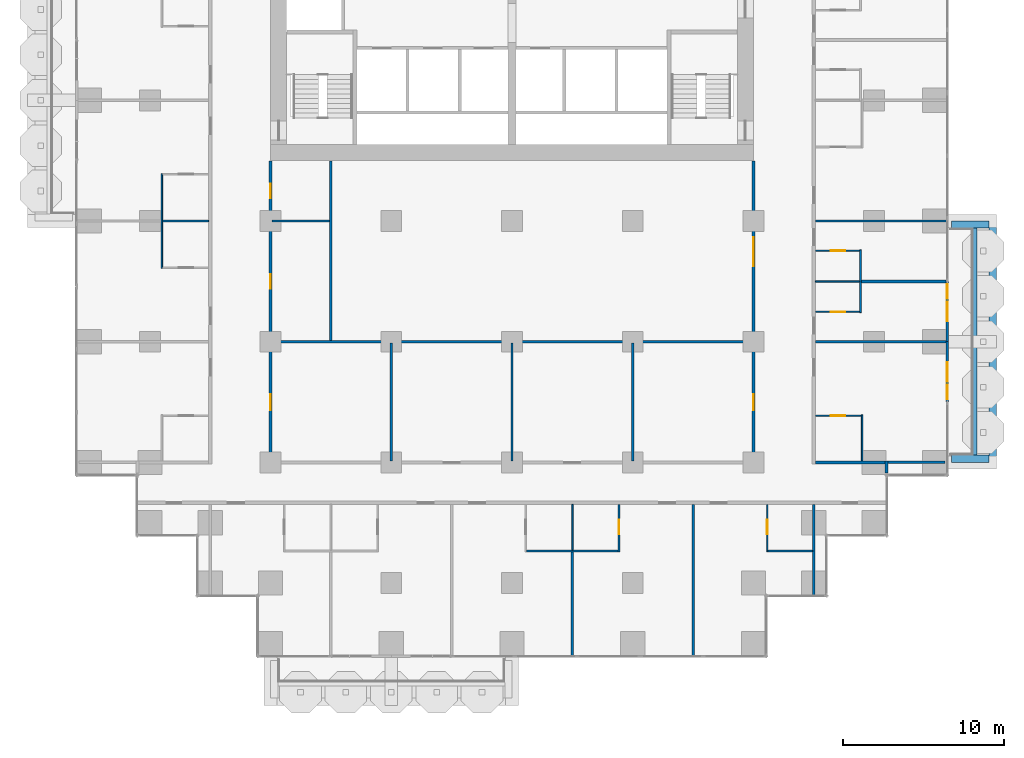
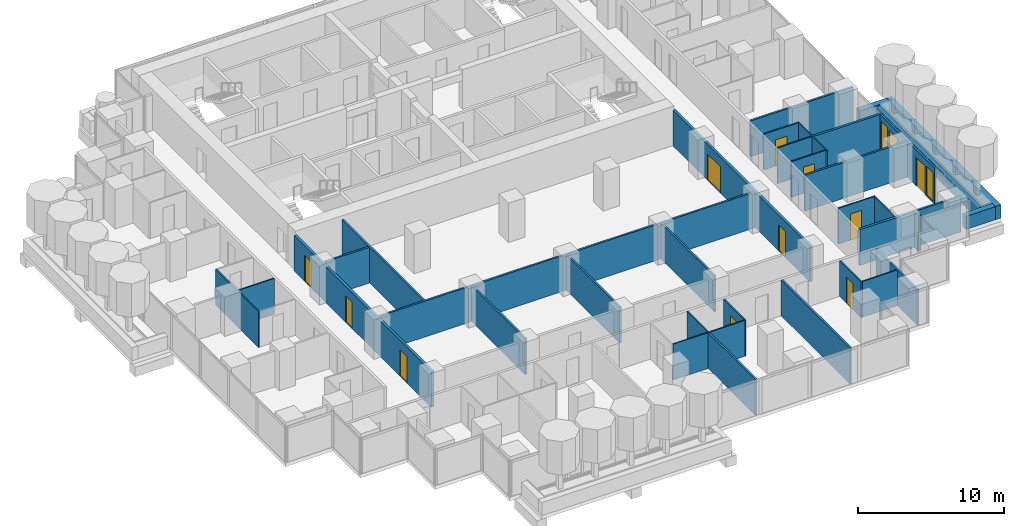
# One storey, part 11 of 18: 36 walls, 12 doors, 2 windows, 14 openings.
"""IFC4 building model written with IfcOpenShell, lengths in metres."""

import ifcopenshell
import ifcopenshell.guid

model = None  # the IFC model being written
_history = None  # IfcOwnerHistory: only IFC2X3 demands one
_inside = {}  # id of a spatial element -> (the spatial element, [elements in it])
_under = {}  # id of a project, library or spatial element -> (it, [spatial elements below it])
_declared = {}  # id of a project -> (the project, [libraries it declares])
_typed = {}  # id of a type object -> (the type object, [elements of that type])
_made_of = {}  # id of a material, layer set ... -> (it, [elements and type objects made of it])


def new_model(schema):
    """Start an empty IFC model of exactly this schema.

    Asked for "IFC4X3", IfcOpenShell would pick the latest addendum, in which some entities
    have other attributes; the version numbers below select the first issue.
    IFC2X3 requires an IfcOwnerHistory on every rooted entity: one is made here for all.
    """
    global model, _history
    if schema == "IFC4X3":
        model = ifcopenshell.file(schema_version=(4, 3, 0, 0))
    else:
        model = ifcopenshell.file(schema=schema)
    _inside.clear()
    _under.clear()
    _declared.clear()
    _typed.clear()
    _made_of.clear()
    _history = None
    if model.schema == "IFC2X3":
        org = make("IfcOrganization", Name="unknown")
        user = make(
            "IfcPersonAndOrganization",
            ThePerson=make("IfcPerson", FamilyName="unknown"),
            TheOrganization=org,
        )
        app = make(
            "IfcApplication",
            ApplicationDeveloper=org,
            Version="unknown",
            ApplicationFullName="unknown",
            ApplicationIdentifier="unknown",
        )
        _history = make(
            "IfcOwnerHistory",
            OwningUser=user,
            OwningApplication=app,
            ChangeAction="ADDED",
            CreationDate=0,
        )
    return model


def make(cls, **values):
    """One entity of the class cls with the attributes given. An attribute that is None is left unset."""
    return model.create_entity(
        cls, **{name: value for name, value in values.items() if value is not None}
    )


def rooted(cls, **values):
    """An entity with a GlobalId (a new one), such as an element, a storey or a relation."""
    return make(cls, GlobalId=ifcopenshell.guid.new(), OwnerHistory=_history, **values)


def si_unit(unit_type, name, prefix=None):
    """IfcSIUnit, for example si_unit("LENGTHUNIT", "METRE", prefix="MILLI")."""
    return make("IfcSIUnit", UnitType=unit_type, Prefix=prefix, Name=name)


def assignment(units):
    """IfcUnitAssignment: the units of a project."""
    return None if units is None else make("IfcUnitAssignment", Units=units)


def point(xyz):
    """IfcCartesianPoint."""
    return None if xyz is None else make("IfcCartesianPoint", Coordinates=xyz)


def direction(xyz):
    """IfcDirection."""
    return None if xyz is None else make("IfcDirection", DirectionRatios=xyz)


def frame(location, z_axis=None, x_axis=None):
    """IfcAxis2Placement3D, a coordinate frame: its origin and axes. An axis left out is left unset."""
    return make(
        "IfcAxis2Placement3D",
        Location=point(location),
        Axis=direction(z_axis),
        RefDirection=direction(x_axis),
    )


def frame_2d(location, x_axis=None):
    """IfcAxis2Placement2D, a coordinate frame in the plane: its origin and x axis."""
    return make(
        "IfcAxis2Placement2D", Location=point(location), RefDirection=direction(x_axis)
    )


def origin():
    """The frame at (0, 0, 0) with its axes left unset."""
    return frame((0.0, 0.0, 0.0))


def place(relative_to, where):
    """IfcLocalPlacement: puts the frame where relative to a parent placement (None: the world)."""
    return make(
        "IfcLocalPlacement", PlacementRelTo=relative_to, RelativePlacement=where
    )


def context(
    kind, dimensions, precision=None, world=None, true_north=None, identifier=None
):
    """IfcGeometricRepresentationContext, for example the 3D "Model" context."""
    return make(
        "IfcGeometricRepresentationContext",
        ContextIdentifier=identifier,
        ContextType=kind,
        CoordinateSpaceDimension=dimensions,
        Precision=precision,
        WorldCoordinateSystem=world,
        TrueNorth=true_north,
    )


def subcontext(parent, identifier, kind, view, scale=None):
    """IfcGeometricRepresentationSubContext, for example "Body" below "Model"."""
    return make(
        "IfcGeometricRepresentationSubContext",
        ContextIdentifier=identifier,
        ContextType=kind,
        ParentContext=parent,
        TargetScale=scale,
        TargetView=view,
    )


def project(units=None, contexts=None):
    """IfcProject with its units and contexts."""
    return rooted(
        "IfcProject",
        Name="project",
        RepresentationContexts=contexts,
        UnitsInContext=assignment(units),
    )


def spatial(cls, under=None, at=None, **own):
    """A site, building, storey or space (cls), placed at a placement, below another one or the project."""
    s = rooted(cls, ObjectPlacement=at, **own)
    if under is not None:
        _under.setdefault(under.id(), (under, []))[1].append(s)
    return s


def profile(cls, at=None, kind="AREA", **sizes):
    """A parametric profile (cls). Its sizes go by their IFC names, for example OverallWidth=200.0."""
    return make(cls, ProfileType=kind, Position=at, **sizes)


def rectangle(**sizes):
    """IfcRectangleProfileDef."""
    return profile("IfcRectangleProfileDef", **sizes)


def extrude(swept, where, along, depth):
    """IfcExtrudedAreaSolid: the profile swept, set in the frame where, extruded along a direction by depth."""
    return make(
        "IfcExtrudedAreaSolid",
        SweptArea=swept,
        Position=where,
        ExtrudedDirection=direction(along),
        Depth=depth,
    )


def shape(context_of_items, identifier, shape_type, items):
    """IfcShapeRepresentation: the items that make up one representation, for example the "Body"."""
    return make(
        "IfcShapeRepresentation",
        ContextOfItems=context_of_items,
        RepresentationIdentifier=identifier,
        RepresentationType=shape_type,
        Items=items,
    )


def material(Name=None, Category=None):
    """IfcMaterial."""
    return make("IfcMaterial", Name=Name, Category=Category)


def layer(
    of_material, thickness, ventilated=None, Name=None, Category=None, Priority=None
):
    """IfcMaterialLayer: one layer of a wall or slab, of a material (None: an air gap)."""
    return make(
        "IfcMaterialLayer",
        Material=of_material,
        LayerThickness=thickness,
        IsVentilated=ventilated,
        Name=Name,
        Category=Category,
        Priority=Priority,
    )


def layer_set(layers, Name=None):
    """IfcMaterialLayerSet."""
    return make("IfcMaterialLayerSet", MaterialLayers=layers, LayerSetName=Name)


def made_of(thing, what):
    """Note that an element or type object is made of a material, layer set ...; save() writes the relation."""
    if what is not None:
        _made_of.setdefault(what.id(), (what, []))[1].append(thing)
    return thing


def type_object(cls, material=None, **own):
    """A type object (cls), such as IfcWallType, which elements share."""
    return made_of(rooted(cls, **own), material)


def element(
    cls,
    number,
    at=None,
    inside=None,
    cuts=None,
    type_object=None,
    material=None,
    context=None,
    identifier="Body",
    shape_type=None,
    held_by="IfcProductDefinitionShape",
    body=None,
    shapes=None,
    **own,
):
    """One element of the class cls, such as IfcWall. Its Tag is "e" and its number.

    at: its placement. inside: the storey or other place that contains it. cuts: it is an
    opening in that element (IfcRelVoidsElement). A single representation is given by context,
    identifier, shape_type and body (its items); several are given by shapes. held_by: the class
    of the entity that holds the representations. save() writes the other relations.
    """
    e = rooted(cls, Tag="e%d" % number, ObjectPlacement=at, **own)
    if body is not None:
        shapes = [shape(context, identifier, shape_type, body)]
    if shapes is not None:
        e.Representation = make(held_by, Representations=shapes)
    if inside is not None:
        _inside.setdefault(inside.id(), (inside, []))[1].append(e)
    if cuts is not None:
        rooted(
            "IfcRelVoidsElement", RelatingBuildingElement=cuts, RelatedOpeningElement=e
        )
    if type_object is not None:
        _typed.setdefault(type_object.id(), (type_object, []))[1].append(e)
    return made_of(e, material)


def fill(opening, filler):
    """IfcRelFillsElement: the door or window that sits in an opening."""
    return rooted(
        "IfcRelFillsElement",
        RelatingOpeningElement=opening,
        RelatedBuildingElement=filler,
    )


def aggregate(whole, parts):
    """IfcRelAggregates: a whole, such as a stair, and the parts it consists of."""
    return rooted("IfcRelAggregates", RelatingObject=whole, RelatedObjects=parts)


def save(model, path):
    """Write the relations noted so far, then the file.

    IfcRelAggregates (storeys below a building ...), IfcRelContainedInSpatialStructure (elements
    in a storey), IfcRelDefinesByType, IfcRelAssociatesMaterial and IfcRelDeclares: one each for
    every whole, place, type object, material and project.
    """
    for whole, parts in _under.values():
        aggregate(whole, parts)
    for where, things in _inside.values():
        rooted(
            "IfcRelContainedInSpatialStructure",
            RelatedElements=things,
            RelatingStructure=where,
        )
    for kind, things in _typed.values():
        rooted("IfcRelDefinesByType", RelatedObjects=things, RelatingType=kind)
    for what, things in _made_of.values():
        rooted("IfcRelAssociatesMaterial", RelatedObjects=things, RelatingMaterial=what)
    for by, libraries in _declared.values():
        rooted("IfcRelDeclares", RelatingContext=by, RelatedDefinitions=libraries)
    model.write(path)


model = new_model("IFC4")

# Units and contexts
model_context = context("Model", 3, precision=1e-05, world=origin(), true_north=direction((0.0, 1.0)))
body_context = subcontext(model_context, "Body", "Model", "MODEL_VIEW")
ifc_project = project(units=[si_unit("LENGTHUNIT", "METRE"), si_unit("AREAUNIT", "SQUARE_METRE"), si_unit("VOLUMEUNIT", "CUBIC_METRE"), si_unit("PLANEANGLEUNIT", "RADIAN"), si_unit("MASSUNIT", "GRAM", prefix="KILO")], contexts=[model_context])

# Site, building, storey
site_placement = place(None, origin())
site = spatial("IfcSite", under=ifc_project, at=site_placement, CompositionType="ELEMENT")
building_placement = place(site_placement, origin())
building = spatial("IfcBuilding", under=site, at=building_placement, Name="Pilkhan Gate Tower", CompositionType="ELEMENT")
storey_placement = place(building_placement, frame((0.0, 0.0, 56.0)))
storey = spatial("IfcBuildingStorey", under=building, at=storey_placement, Name="L11", CompositionType="ELEMENT", Elevation=56.0)

# Walls
ifc_material_1 = material(Name="Dense blockwork", Category="masonry")
ifc_layer_1 = layer(ifc_material_1, 0.175048828125)
ifc_layer_set_1 = layer_set([ifc_layer_1], Name="Acoustic party wall PW175")
wall_type_1 = type_object("IfcWallType", Name="Acoustic party wall PW175", PredefinedType="PARTITIONING", material=ifc_layer_set_1)
wall_1_placement = place(storey_placement, frame((96.699951171875, 63.75, 0.0), z_axis=(0.0, 0.0, 1.0), x_axis=(1.0, 0.0, 0.0)))
element("IfcWall", 1, at=wall_1_placement, inside=storey, type_object=wall_type_1, Name="Partition L11", PredefinedType="PARTITIONING", context=body_context, shape_type="SweptSolid", body=[
    extrude(rectangle(XDim=5.260009765625, YDim=0.175048828125, at=frame_2d((2.6298828125, 0.0))), origin(), (0.0, 0.0, 1.0), 3.0),
])
ifc_material_2 = material(Name="Concrete C40/50", Category="concrete")
ifc_layer_2 = layer(ifc_material_2, 0.25)
ifc_layer_set_2 = layer_set([ifc_layer_2], Name="Balcony planter BP250")
wall_type_2 = type_object("IfcWallType", Name="Balcony planter BP250", PredefinedType="USERDEFINED", material=ifc_layer_set_2)
wall_2_placement = place(storey_placement, frame((103.77490234375, 52.949951171875, 0.0), z_axis=(0.0, 0.0, 1.0), x_axis=(0.0, 1.0, 0.0)))
element("IfcWall", 2, at=wall_2_placement, inside=storey, type_object=wall_type_2, Name="Balcony planter L11 E", ObjectType="BALCONY PLANTER", PredefinedType="USERDEFINED", context=body_context, shape_type="SweptSolid", body=[
    extrude(rectangle(XDim=14.10009765625, YDim=0.25, at=frame_2d((7.050048828125, 0.0))), origin(), (0.0, 0.0, 1.0), 1.0),
])
ifc_material_3 = material(Name="Board-marked Concrete C40/50", Category="concrete")
ifc_layer_3 = layer(ifc_material_3, 0.449951171875)
ifc_layer_set_3 = layer_set([ifc_layer_3], Name="Balcony planter lip BL450")
wall_type_3 = type_object("IfcWallType", Name="Balcony planter lip BL450", PredefinedType="USERDEFINED", material=ifc_layer_set_3)
wall_3_placement = place(storey_placement, frame((104.875, 52.5, 0.0), z_axis=(0.0, 0.0, 1.0), x_axis=(0.0, 1.0, 0.0)))
element("IfcWall", 3, at=wall_3_placement, inside=storey, type_object=wall_type_3, Name="Balcony planter L11 E", ObjectType="BALCONY PLANTER", PredefinedType="USERDEFINED", context=body_context, shape_type="SweptSolid", body=[
    extrude(rectangle(XDim=15.0, YDim=0.449951171875, at=frame_2d((7.5, 0.0))), origin(), (0.0, 0.0, 1.0), 1.10009765625),
])
for number, where, z_axis, x_axis, name in (
    (4, (102.300048828125, 52.72509765625, 0.0), (0.0, 0.0, 1.0), (1.0, 0.0, 0.0), "Balcony planter L11 E"),
    (5, (102.300048828125, 67.27490234375, 0.0), (0.0, 0.0, 1.0), (1.0, 0.0, 0.0), "Balcony planter L11 E"),
):
    element("IfcWall", number, at=place(storey_placement, frame(where, z_axis=z_axis, x_axis=x_axis)), inside=storey, type_object=wall_type_3, Name=name, ObjectType="BALCONY PLANTER", PredefinedType="USERDEFINED", context=body_context, shape_type="SweptSolid", body=[
        extrude(rectangle(XDim=2.349853515625, YDim=0.449951171875, at=frame_2d((1.1748046875, 0.0))), origin(), (0.0, 0.0, 1.0), 1.10009765625),
    ])
ifc_layer_4 = layer(ifc_material_1, 0.199951171875)
ifc_layer_set_4 = layer_set([ifc_layer_4], Name="Corridor wall FW200")
wall_type_4 = type_object("IfcWallType", Name="Corridor wall FW200", PredefinedType="PARTITIONING", material=ifc_layer_set_4)
wall_4_placement = place(storey_placement, frame((93.85009765625, 52.5, 0.0), z_axis=(0.0, 0.0, 1.0), x_axis=(1.0, 0.0, 0.0)))
element("IfcWall", 6, at=wall_4_placement, inside=storey, type_object=wall_type_4, Name="Partition L11", PredefinedType="PARTITIONING", context=body_context, shape_type="SweptSolid", body=[
    extrude(rectangle(XDim=4.31494140625, YDim=0.199951171875, at=frame_2d((2.157470703125, 0.0))), origin(), (0.0, 0.0, 1.0), 3.0),
])

# Wall, openings, doors
wall_5_placement = place(storey_placement, frame((60.0, 52.39990234375, 0.0), z_axis=(0.0, 0.0, 1.0), x_axis=(0.0, 1.0, 0.0)))
wall_5 = element("IfcWall", 7, at=wall_5_placement, inside=storey, type_object=wall_type_4, Name="Partition L11", PredefinedType="PARTITIONING", context=body_context, shape_type="SweptSolid", body=[
    extrude(rectangle(XDim=18.840087890625, YDim=0.199951171875, at=frame_2d((9.419921875, 0.0))), origin(), (0.0, 0.0, 1.0), 3.0),
])
opening_1_placement = place(wall_5_placement, frame((3.35009765625, 0.0, 0.0)))
opening_1 = element("IfcOpeningElement", 8, at=opening_1_placement, cuts=wall_5, Name="Opening L11-48", PredefinedType="OPENING", context=body_context, shape_type="SweptSolid", body=[
    extrude(rectangle(XDim=1.0, YDim=2.199951171875, at=frame_2d((0.5, 1.10009765625))), frame((0.0, 0.10986328125, 0.0), z_axis=(0.0, -1.0, 0.0), x_axis=(1.0, 0.0, 0.0)), (0.0, 0.0, 1.0), 0.219970703125),
])
opening_2_placement = place(wall_5_placement, frame((10.89990234375, 0.0, 0.0)))
opening_2 = element("IfcOpeningElement", 9, at=opening_2_placement, cuts=wall_5, Name="Opening L11-52", PredefinedType="OPENING", context=body_context, shape_type="SweptSolid", body=[
    extrude(rectangle(XDim=0.89990234375, YDim=2.199951171875, at=frame_2d((0.449951171875, 1.10009765625))), frame((0.0, 0.10986328125, 0.0), z_axis=(0.0, -1.0, 0.0), x_axis=(1.0, 0.0, 0.0)), (0.0, 0.0, 1.0), 0.219970703125),
])
opening_3_placement = place(wall_5_placement, frame((16.5, 0.0, 0.0)))
opening_3 = element("IfcOpeningElement", 10, at=opening_3_placement, cuts=wall_5, Name="Opening L11-53", PredefinedType="OPENING", context=body_context, shape_type="SweptSolid", body=[
    extrude(rectangle(XDim=0.89990234375, YDim=2.199951171875, at=frame_2d((0.449951171875, 1.10009765625))), frame((0.0, 0.10986328125, 0.0), z_axis=(0.0, -1.0, 0.0), x_axis=(1.0, 0.0, 0.0)), (0.0, 0.0, 1.0), 0.219970703125),
])
ifc_material_4 = material(Name="Timber flush door, 30 minute fire resisting", Category="wood")
door_type_1 = type_object("IfcDoorType", Name="Room door D03 1000x2200", OperationType="SINGLE_SWING_LEFT", PredefinedType="DOOR", material=ifc_material_4)
door_1_placement = place(opening_1_placement, origin())
door_1 = element("IfcDoor", 11, at=door_1_placement, inside=storey, type_object=door_type_1, Name="Room door", OperationType="SINGLE_SWING_RIGHT", OverallHeight=2.199951171875, OverallWidth=1.0, PredefinedType="DOOR", context=body_context, shape_type="SweptSolid", body=[
    extrude(rectangle(XDim=1.0, YDim=2.199951171875, at=frame_2d((0.5, 1.10009765625))), frame((0.0, 0.02490234375, 0.0), z_axis=(0.0, -1.0, 0.0), x_axis=(1.0, 0.0, 0.0)), (0.0, 0.0, 1.0), 0.050048828125),
])
fill(opening_1, door_1)
ifc_material_5 = material(Name="Timber flush door, 60 minute fire resisting, self-closing", Category="wood")
door_type_2 = type_object("IfcDoorType", Name="Store door D05 900x2200", OperationType="SINGLE_SWING_LEFT", PredefinedType="DOOR", material=ifc_material_5)
door_2_placement = place(opening_2_placement, origin())
door_2 = element("IfcDoor", 12, at=door_2_placement, inside=storey, type_object=door_type_2, Name="Store door", OperationType="SINGLE_SWING_RIGHT", OverallHeight=2.199951171875, OverallWidth=0.89990234375, PredefinedType="DOOR", context=body_context, shape_type="SweptSolid", body=[
    extrude(rectangle(XDim=0.89990234375, YDim=2.199951171875, at=frame_2d((0.449951171875, 1.10009765625))), frame((0.0, 0.02490234375, 0.0), z_axis=(0.0, -1.0, 0.0), x_axis=(1.0, 0.0, 0.0)), (0.0, 0.0, 1.0), 0.050048828125),
])
fill(opening_2, door_2)
door_3_placement = place(opening_3_placement, origin())
door_3 = element("IfcDoor", 13, at=door_3_placement, inside=storey, type_object=door_type_2, Name="Store door", OperationType="SINGLE_SWING_RIGHT", OverallHeight=2.199951171875, OverallWidth=0.89990234375, PredefinedType="DOOR", context=body_context, shape_type="SweptSolid", body=[
    extrude(rectangle(XDim=0.89990234375, YDim=2.199951171875, at=frame_2d((0.449951171875, 1.10009765625))), frame((0.0, 0.02490234375, 0.0), z_axis=(0.0, -1.0, 0.0), x_axis=(1.0, 0.0, 0.0)), (0.0, 0.0, 1.0), 0.050048828125),
])
fill(opening_3, door_3)

wall_6_placement = place(storey_placement, frame((90.0, 52.39990234375, 0.0), z_axis=(0.0, 0.0, 1.0), x_axis=(0.0, 1.0, 0.0)))
wall_6 = element("IfcWall", 14, at=wall_6_placement, inside=storey, type_object=wall_type_4, Name="Partition L11", PredefinedType="PARTITIONING", context=body_context, shape_type="SweptSolid", body=[
    extrude(rectangle(XDim=18.840087890625, YDim=0.199951171875, at=frame_2d((9.419921875, 0.0))), origin(), (0.0, 0.0, 1.0), 3.0),
])
opening_4_placement = place(wall_6_placement, frame((3.35009765625, 0.0, 0.0)))
opening_4 = element("IfcOpeningElement", 15, at=opening_4_placement, cuts=wall_6, Name="Opening L11-51", PredefinedType="OPENING", context=body_context, shape_type="SweptSolid", body=[
    extrude(rectangle(XDim=1.0, YDim=2.199951171875, at=frame_2d((0.5, 1.10009765625))), frame((0.0, 0.10986328125, 0.0), z_axis=(0.0, -1.0, 0.0), x_axis=(1.0, 0.0, 0.0)), (0.0, 0.0, 1.0), 0.219970703125),
])
opening_5_placement = place(wall_6_placement, frame((12.300048828125, 0.0, 0.0)))
opening_5 = element("IfcOpeningElement", 16, at=opening_5_placement, cuts=wall_6, Name="Opening L11-54", PredefinedType="OPENING", context=body_context, shape_type="SweptSolid", body=[
    extrude(rectangle(XDim=1.800048828125, YDim=2.199951171875, at=frame_2d((0.89990234375, 1.10009765625))), frame((0.0, 0.10986328125, 0.0), z_axis=(0.0, -1.0, 0.0), x_axis=(1.0, 0.0, 0.0)), (0.0, 0.0, 1.0), 0.219970703125),
])
ifc_material_6 = material(Name="Timber glazed double door, 30 minute fire resisting", Category="wood")
door_type_3 = type_object("IfcDoorType", Name="Double door D04 1800x2200", OperationType="DOUBLE_DOOR_SINGLE_SWING", PredefinedType="DOOR", material=ifc_material_6)
door_4_placement = place(opening_5_placement, origin())
door_4 = element("IfcDoor", 17, at=door_4_placement, inside=storey, type_object=door_type_3, Name="Double door", OperationType="DOUBLE_DOOR_SINGLE_SWING", OverallHeight=2.199951171875, OverallWidth=1.800048828125, PredefinedType="DOOR", context=body_context, shape_type="SweptSolid", body=[
    extrude(rectangle(XDim=1.800048828125, YDim=2.199951171875, at=frame_2d((0.89990234375, 1.10009765625))), frame((0.0, 0.02490234375, 0.0), z_axis=(0.0, -1.0, 0.0), x_axis=(1.0, 0.0, 0.0)), (0.0, 0.0, 1.0), 0.050048828125),
])
fill(opening_5, door_4)
door_5_placement = place(opening_4_placement, origin())
door_5 = element("IfcDoor", 18, at=door_5_placement, inside=storey, type_object=door_type_1, Name="Room door", OperationType="SINGLE_SWING_RIGHT", OverallHeight=2.199951171875, OverallWidth=1.0, PredefinedType="DOOR", context=body_context, shape_type="SweptSolid", body=[
    extrude(rectangle(XDim=1.0, YDim=2.199951171875, at=frame_2d((0.5, 1.10009765625))), frame((0.0, 0.02490234375, 0.0), z_axis=(0.0, -1.0, 0.0), x_axis=(1.0, 0.0, 0.0)), (0.0, 0.0, 1.0), 0.050048828125),
])
fill(opening_4, door_5)

# Wall
wall_7_placement = place(storey_placement, frame((98.264892578125, 51.85498046875, 0.0), z_axis=(0.0, 0.0, 1.0), x_axis=(0.0, 1.0, 0.0)))
element("IfcWall", 19, at=wall_7_placement, inside=storey, type_object=wall_type_4, Name="Partition L11", PredefinedType="PARTITIONING", context=body_context, shape_type="SweptSolid", body=[
    extrude(rectangle(XDim=0.7451171875, YDim=0.199951171875, at=frame_2d((0.37255859375, 0.0))), origin(), (0.0, 0.0, 1.0), 3.0),
])

# Wall, openings, door, window
ifc_material_7 = material(Name="Pale anodised aluminium, clear laminated glazing", Category="aluminium")
ifc_layer_5 = layer(ifc_material_7, 0.14990234375)
ifc_layer_set_5 = layer_set([ifc_layer_5], Name="Facade infill wall IW150")
wall_type_5 = type_object("IfcWallType", Name="Facade infill wall IW150", PredefinedType="SOLIDWALL", material=ifc_layer_set_5)
wall_8_placement = place(storey_placement, frame((102.044921875, 56.25, 0.0), z_axis=(0.0, 0.0, 1.0), x_axis=(0.0, 1.0, 0.0)))
wall_8 = element("IfcWall", 20, at=wall_8_placement, inside=storey, type_object=wall_type_5, Name="Infill wall L11 E", PredefinedType="SOLIDWALL", context=body_context, shape_type="SweptSolid", body=[
    extrude(rectangle(XDim=3.75, YDim=0.14990234375, at=frame_2d((1.875, 0.0))), origin(), (0.0, 0.0, 1.0), 3.0),
])
opening_6_placement = place(wall_8_placement, frame((0.1875, 0.0, 0.10009765625)))
opening_6 = element("IfcOpeningElement", 21, at=opening_6_placement, cuts=wall_8, Name="Opening W1", PredefinedType="OPENING", context=body_context, shape_type="SweptSolid", body=[
    extrude(rectangle(XDim=0.89990234375, YDim=2.39990234375, at=frame_2d((0.449951171875, 1.199951171875))), frame((0.0, 0.0849609375, 0.0), z_axis=(0.0, -1.0, 0.0), x_axis=(1.0, 0.0, 0.0)), (0.0, 0.0, 1.0), 0.169921875),
])
opening_7_placement = place(wall_8_placement, frame((1.27490234375, 0.0, 0.0)))
opening_7 = element("IfcOpeningElement", 22, at=opening_7_placement, cuts=wall_8, Name="Opening D1", PredefinedType="OPENING", context=body_context, shape_type="SweptSolid", body=[
    extrude(rectangle(XDim=1.199951171875, YDim=2.39990234375, at=frame_2d((0.60009765625, 1.199951171875))), frame((0.0, 0.0849609375, 0.0), z_axis=(0.0, -1.0, 0.0), x_axis=(1.0, 0.0, 0.0)), (0.0, 0.0, 1.0), 0.169921875),
])
ifc_material_8 = material(Name="Pale anodised aluminium, clear glazing", Category="aluminium")
door_type_4 = type_object("IfcDoorType", Name="Balcony door D1 1200x2400", OperationType="SINGLE_SWING_LEFT", PredefinedType="DOOR", material=ifc_material_8)
door_6_placement = place(opening_7_placement, origin())
door_6 = element("IfcDoor", 23, at=door_6_placement, inside=storey, type_object=door_type_4, Name="Balcony door L11", OperationType="SINGLE_SWING_LEFT", OverallHeight=2.39990234375, OverallWidth=1.199951171875, PredefinedType="DOOR", context=body_context, shape_type="SweptSolid", body=[
    extrude(rectangle(XDim=1.199951171875, YDim=2.39990234375, at=frame_2d((0.60009765625, 1.199951171875))), frame((0.0, 0.02490234375, 0.0), z_axis=(0.0, -1.0, 0.0), x_axis=(1.0, 0.0, 0.0)), (0.0, 0.0, 1.0), 0.050048828125),
])
fill(opening_7, door_6)
ifc_material_9 = material(Name="Pale anodised aluminium, clear double glazing", Category="aluminium")
window_type = type_object("IfcWindowType", Name="Window W1 900x2400", PartitioningType="SINGLE_PANEL", PredefinedType="WINDOW", material=ifc_material_9)
window_1_placement = place(opening_6_placement, origin())
window_1 = element("IfcWindow", 24, at=window_1_placement, inside=storey, type_object=window_type, Name="Window L11", OverallHeight=2.39990234375, OverallWidth=0.89990234375, PartitioningType="SINGLE_PANEL", PredefinedType="WINDOW", context=body_context, shape_type="SweptSolid", body=[
    extrude(rectangle(XDim=0.89990234375, YDim=2.39990234375, at=frame_2d((0.449951171875, 1.199951171875))), frame((0.0, 0.030029296875, 0.0), z_axis=(0.0, -1.0, 0.0), x_axis=(1.0, 0.0, 0.0)), (0.0, 0.0, 1.0), 0.06005859375),
])
fill(opening_6, window_1)

wall_9_placement = place(storey_placement, frame((102.044921875, 60.0, 0.0), z_axis=(0.0, 0.0, 1.0), x_axis=(0.0, 1.0, 0.0)))
wall_9 = element("IfcWall", 25, at=wall_9_placement, inside=storey, type_object=wall_type_5, Name="Infill wall L11 E", PredefinedType="SOLIDWALL", context=body_context, shape_type="SweptSolid", body=[
    extrude(rectangle(XDim=3.75, YDim=0.14990234375, at=frame_2d((1.875, 0.0))), origin(), (0.0, 0.0, 1.0), 3.0),
])
opening_8_placement = place(wall_9_placement, frame((1.27490234375, 0.0, 0.0)))
opening_8 = element("IfcOpeningElement", 26, at=opening_8_placement, cuts=wall_9, Name="Opening D1", PredefinedType="OPENING", context=body_context, shape_type="SweptSolid", body=[
    extrude(rectangle(XDim=1.199951171875, YDim=2.39990234375, at=frame_2d((0.60009765625, 1.199951171875))), frame((0.0, 0.0849609375, 0.0), z_axis=(0.0, -1.0, 0.0), x_axis=(1.0, 0.0, 0.0)), (0.0, 0.0, 1.0), 0.169921875),
])
opening_9_placement = place(wall_9_placement, frame((2.66259765625, 0.0, 0.10009765625)))
opening_9 = element("IfcOpeningElement", 27, at=opening_9_placement, cuts=wall_9, Name="Opening W1", PredefinedType="OPENING", context=body_context, shape_type="SweptSolid", body=[
    extrude(rectangle(XDim=0.89990234375, YDim=2.39990234375, at=frame_2d((0.449951171875, 1.199951171875))), frame((0.0, 0.0849609375, 0.0), z_axis=(0.0, -1.0, 0.0), x_axis=(1.0, 0.0, 0.0)), (0.0, 0.0, 1.0), 0.169921875),
])
door_7_placement = place(opening_8_placement, origin())
door_7 = element("IfcDoor", 28, at=door_7_placement, inside=storey, type_object=door_type_4, Name="Balcony door L11", OperationType="SINGLE_SWING_LEFT", OverallHeight=2.39990234375, OverallWidth=1.199951171875, PredefinedType="DOOR", context=body_context, shape_type="SweptSolid", body=[
    extrude(rectangle(XDim=1.199951171875, YDim=2.39990234375, at=frame_2d((0.60009765625, 1.199951171875))), frame((0.0, 0.02490234375, 0.0), z_axis=(0.0, -1.0, 0.0), x_axis=(1.0, 0.0, 0.0)), (0.0, 0.0, 1.0), 0.050048828125),
])
fill(opening_8, door_7)
window_2_placement = place(opening_9_placement, origin())
window_2 = element("IfcWindow", 29, at=window_2_placement, inside=storey, type_object=window_type, Name="Window L11", OverallHeight=2.39990234375, OverallWidth=0.89990234375, PartitioningType="SINGLE_PANEL", PredefinedType="WINDOW", context=body_context, shape_type="SweptSolid", body=[
    extrude(rectangle(XDim=0.89990234375, YDim=2.39990234375, at=frame_2d((0.449951171875, 1.199951171875))), frame((0.0, 0.030029296875, 0.0), z_axis=(0.0, -1.0, 0.0), x_axis=(1.0, 0.0, 0.0)), (0.0, 0.0, 1.0), 0.06005859375),
])
fill(opening_9, window_2)

# Walls
ifc_material_10 = material(Name="Blockwork partition, plastered both sides", Category="masonry")
ifc_layer_6 = layer(ifc_material_10, 0.14990234375)
ifc_layer_set_6 = layer_set([ifc_layer_6], Name="Partition PW150")
wall_type_6 = type_object("IfcWallType", Name="Partition PW150", PredefinedType="PARTITIONING", material=ifc_layer_set_6)
wall_10_placement = place(storey_placement, frame((98.364990234375, 52.5, 0.0), z_axis=(0.0, 0.0, 1.0), x_axis=(1.0, 0.0, 0.0)))
element("IfcWall", 30, at=wall_10_placement, inside=storey, type_object=wall_type_6, Name="Partition L11", PredefinedType="PARTITIONING", context=body_context, shape_type="SweptSolid", body=[
    extrude(rectangle(XDim=3.530029296875, YDim=0.14990234375, at=frame_2d((1.76513671875, 0.0))), origin(), (0.0, 0.0, 1.0), 3.0),
])
wall_11_placement = place(storey_placement, frame((60.10009765625, 60.0, 0.0), z_axis=(0.0, 0.0, 1.0), x_axis=(1.0, 0.0, 0.0)))
element("IfcWall", 31, at=wall_11_placement, inside=storey, type_object=wall_type_6, Name="Partition L11", PredefinedType="PARTITIONING", context=body_context, shape_type="SweptSolid", body=[
    extrude(rectangle(XDim=29.7998046875, YDim=0.14990234375, at=frame_2d((14.89990234375, 0.0))), origin(), (0.0, 0.0, 1.0), 3.0),
])
wall_12_placement = place(storey_placement, frame((93.85009765625, 60.0, 0.0), z_axis=(0.0, 0.0, 1.0), x_axis=(1.0, 0.0, 0.0)))
element("IfcWall", 32, at=wall_12_placement, inside=storey, type_object=wall_type_6, Name="Partition L11", PredefinedType="PARTITIONING", context=body_context, shape_type="SweptSolid", body=[
    extrude(rectangle(XDim=8.10986328125, YDim=0.14990234375, at=frame_2d((4.054931640625, 0.0))), origin(), (0.0, 0.0, 1.0), 3.0),
])
wall_13_placement = place(storey_placement, frame((60.10009765625, 67.5, 0.0), z_axis=(0.0, 0.0, 1.0), x_axis=(1.0, 0.0, 0.0)))
element("IfcWall", 33, at=wall_13_placement, inside=storey, type_object=wall_type_6, Name="Partition L11", PredefinedType="PARTITIONING", context=body_context, shape_type="SweptSolid", body=[
    extrude(rectangle(XDim=3.574951171875, YDim=0.14990234375, at=frame_2d((1.78759765625, 0.0))), origin(), (0.0, 0.0, 1.0), 3.0),
])
wall_14_placement = place(storey_placement, frame((93.85009765625, 67.5, 0.0), z_axis=(0.0, 0.0, 1.0), x_axis=(1.0, 0.0, 0.0)))
element("IfcWall", 34, at=wall_14_placement, inside=storey, type_object=wall_type_6, Name="Partition L11", PredefinedType="PARTITIONING", context=body_context, shape_type="SweptSolid", body=[
    extrude(rectangle(XDim=8.164794921875, YDim=0.14990234375, at=frame_2d((4.08251953125, 0.0))), origin(), (0.0, 0.0, 1.0), 3.0),
])
wall_15_placement = place(storey_placement, frame((63.75, 60.074951171875, 0.0), z_axis=(0.0, 0.0, 1.0), x_axis=(0.0, 1.0, 0.0)))
element("IfcWall", 35, at=wall_15_placement, inside=storey, type_object=wall_type_6, Name="Partition L11", PredefinedType="PARTITIONING", context=body_context, shape_type="SweptSolid", body=[
    extrude(rectangle(XDim=11.1650390625, YDim=0.14990234375, at=frame_2d((5.58251953125, 0.0))), origin(), (0.0, 0.0, 1.0), 3.0),
])
for number, where, z_axis, x_axis, name in (
    (36, (67.5, 52.60009765625, 0.0), (0.0, 0.0, 1.0), (0.0, 1.0, 0.0), "Partition L11"),
    (37, (75.0, 52.60009765625, 0.0), (0.0, 0.0, 1.0), (0.0, 1.0, 0.0), "Partition L11"),
):
    element("IfcWall", number, at=place(storey_placement, frame(where, z_axis=z_axis, x_axis=x_axis)), inside=storey, type_object=wall_type_6, Name=name, PredefinedType="PARTITIONING", context=body_context, shape_type="SweptSolid", body=[
        extrude(rectangle(XDim=7.324951171875, YDim=0.14990234375, at=frame_2d((3.66259765625, 0.0))), origin(), (0.0, 0.0, 1.0), 3.0),
    ])
wall_16_placement = place(storey_placement, frame((78.75, 40.485107421875, 0.0), z_axis=(0.0, 0.0, 1.0), x_axis=(0.0, 1.0, 0.0)))
element("IfcWall", 38, at=wall_16_placement, inside=storey, type_object=wall_type_6, Name="Partition L11", PredefinedType="PARTITIONING", context=body_context, shape_type="SweptSolid", body=[
    extrude(rectangle(XDim=6.46484375, YDim=0.14990234375, at=frame_2d((3.232421875, 0.0))), origin(), (0.0, 0.0, 1.0), 3.0),
])
wall_17_placement = place(storey_placement, frame((82.5, 52.60009765625, 0.0), z_axis=(0.0, 0.0, 1.0), x_axis=(0.0, 1.0, 0.0)))
element("IfcWall", 39, at=wall_17_placement, inside=storey, type_object=wall_type_6, Name="Partition L11", PredefinedType="PARTITIONING", context=body_context, shape_type="SweptSolid", body=[
    extrude(rectangle(XDim=7.324951171875, YDim=0.14990234375, at=frame_2d((3.66259765625, 0.0))), origin(), (0.0, 0.0, 1.0), 3.0),
])
wall_18_placement = place(storey_placement, frame((86.25, 40.485107421875, 0.0), z_axis=(0.0, 0.0, 1.0), x_axis=(0.0, 1.0, 0.0)))
element("IfcWall", 40, at=wall_18_placement, inside=storey, type_object=wall_type_6, Name="Partition L11", PredefinedType="PARTITIONING", context=body_context, shape_type="SweptSolid", body=[
    extrude(rectangle(XDim=9.414794921875, YDim=0.14990234375, at=frame_2d((4.70751953125, 0.0))), origin(), (0.0, 0.0, 1.0), 3.0),
])
wall_19_placement = place(storey_placement, frame((93.75, 44.235107421875, 0.0), z_axis=(0.0, 0.0, 1.0), x_axis=(0.0, 1.0, 0.0)))
element("IfcWall", 41, at=wall_19_placement, inside=storey, type_object=wall_type_6, Name="Partition L11", PredefinedType="PARTITIONING", context=body_context, shape_type="SweptSolid", body=[
    extrude(rectangle(XDim=5.664794921875, YDim=0.14990234375, at=frame_2d((2.83251953125, 0.0))), origin(), (0.0, 0.0, 1.0), 3.0),
])
ifc_material_11 = material(Name="Moisture resistant board, tiled")
ifc_layer_7 = layer(ifc_material_11, 0.10009765625)
ifc_layer_set_7 = layer_set([ifc_layer_7], Name="Wet wall PW100")
wall_type_7 = type_object("IfcWallType", Name="Wet wall PW100", PredefinedType="PARTITIONING", material=ifc_layer_set_7)
wall_20_placement = place(storey_placement, frame((75.89990234375, 47.0, 0.0), z_axis=(0.0, 0.0, 1.0), x_axis=(1.0, 0.0, 0.0)))
element("IfcWall", 42, at=wall_20_placement, inside=storey, type_object=wall_type_7, Name="Partition L11", PredefinedType="PARTITIONING", context=body_context, shape_type="SweptSolid", body=[
    extrude(rectangle(XDim=5.7001953125, YDim=0.10009765625, at=frame_2d((2.85009765625, 0.0))), origin(), (0.0, 0.0, 1.0), 3.0),
])
wall_21_placement = place(storey_placement, frame((90.89990234375, 47.0, 0.0), z_axis=(0.0, 0.0, 1.0), x_axis=(1.0, 0.0, 0.0)))
element("IfcWall", 43, at=wall_21_placement, inside=storey, type_object=wall_type_7, Name="Partition L11", PredefinedType="PARTITIONING", context=body_context, shape_type="SweptSolid", body=[
    extrude(rectangle(XDim=2.775146484375, YDim=0.10009765625, at=frame_2d((1.3876953125, 0.0))), origin(), (0.0, 0.0, 1.0), 3.0),
])

# Wall, opening, door
wall_22_placement = place(storey_placement, frame((93.85009765625, 55.39990234375, 0.0), z_axis=(0.0, 0.0, 1.0), x_axis=(1.0, 0.0, 0.0)))
wall_22 = element("IfcWall", 44, at=wall_22_placement, inside=storey, type_object=wall_type_7, Name="Partition L11", PredefinedType="PARTITIONING", context=body_context, shape_type="SweptSolid", body=[
    extrude(rectangle(XDim=2.849853515625, YDim=0.10009765625, at=frame_2d((1.4248046875, 0.0))), origin(), (0.0, 0.0, 1.0), 3.0),
])
opening_10_placement = place(wall_22_placement, frame((0.949951171875, 0.0, 0.0)))
opening_10 = element("IfcOpeningElement", 45, at=opening_10_placement, cuts=wall_22, Name="Opening L11-27", PredefinedType="OPENING", context=body_context, shape_type="SweptSolid", body=[
    extrude(rectangle(XDim=0.89990234375, YDim=2.199951171875, at=frame_2d((0.449951171875, 1.10009765625))), frame((0.0, 0.06005859375, 0.0), z_axis=(0.0, -1.0, 0.0), x_axis=(1.0, 0.0, 0.0)), (0.0, 0.0, 1.0), 0.1201171875),
])
ifc_material_12 = material(Name="Timber flush door", Category="wood")
door_type_5 = type_object("IfcDoorType", Name="Bathroom door D02 900x2200", OperationType="SINGLE_SWING_RIGHT", PredefinedType="DOOR", material=ifc_material_12)
door_8_placement = place(opening_10_placement, origin())
door_8 = element("IfcDoor", 46, at=door_8_placement, inside=storey, type_object=door_type_5, Name="Bathroom door", OperationType="SINGLE_SWING_RIGHT", OverallHeight=2.199951171875, OverallWidth=0.89990234375, PredefinedType="DOOR", context=body_context, shape_type="SweptSolid", body=[
    extrude(rectangle(XDim=0.89990234375, YDim=2.199951171875, at=frame_2d((0.449951171875, 1.10009765625))), frame((0.0, 0.02490234375, 0.0), z_axis=(0.0, -1.0, 0.0), x_axis=(1.0, 0.0, 0.0)), (0.0, 0.0, 1.0), 0.050048828125),
])
fill(opening_10, door_8)

wall_23_placement = place(storey_placement, frame((93.85009765625, 61.85009765625, 0.0), z_axis=(0.0, 0.0, 1.0), x_axis=(1.0, 0.0, 0.0)))
wall_23 = element("IfcWall", 47, at=wall_23_placement, inside=storey, type_object=wall_type_7, Name="Partition L11", PredefinedType="PARTITIONING", context=body_context, shape_type="SweptSolid", body=[
    extrude(rectangle(XDim=2.75, YDim=0.10009765625, at=frame_2d((1.375, 0.0))), origin(), (0.0, 0.0, 1.0), 3.0),
])
opening_11_placement = place(wall_23_placement, frame((0.949951171875, 0.0, 0.0)))
opening_11 = element("IfcOpeningElement", 48, at=opening_11_placement, cuts=wall_23, Name="Opening L11-29", PredefinedType="OPENING", context=body_context, shape_type="SweptSolid", body=[
    extrude(rectangle(XDim=0.89990234375, YDim=2.199951171875, at=frame_2d((0.449951171875, 1.10009765625))), frame((0.0, 0.06005859375, 0.0), z_axis=(0.0, -1.0, 0.0), x_axis=(1.0, 0.0, 0.0)), (0.0, 0.0, 1.0), 0.1201171875),
])
door_9_placement = place(opening_11_placement, origin())
door_9 = element("IfcDoor", 49, at=door_9_placement, inside=storey, type_object=door_type_5, Name="Bathroom door", OperationType="SINGLE_SWING_RIGHT", OverallHeight=2.199951171875, OverallWidth=0.89990234375, PredefinedType="DOOR", context=body_context, shape_type="SweptSolid", body=[
    extrude(rectangle(XDim=0.89990234375, YDim=2.199951171875, at=frame_2d((0.449951171875, 1.10009765625))), frame((0.0, 0.02490234375, 0.0), z_axis=(0.0, -1.0, 0.0), x_axis=(1.0, 0.0, 0.0)), (0.0, 0.0, 1.0), 0.050048828125),
])
fill(opening_11, door_9)

# Wall
wall_24_placement = place(storey_placement, frame((93.85009765625, 63.75, 0.0), z_axis=(0.0, 0.0, 1.0), x_axis=(1.0, 0.0, 0.0)))
element("IfcWall", 50, at=wall_24_placement, inside=storey, type_object=wall_type_7, Name="Partition L11", PredefinedType="PARTITIONING", context=body_context, shape_type="SweptSolid", body=[
    extrude(rectangle(XDim=2.75, YDim=0.10009765625, at=frame_2d((1.375, 0.0))), origin(), (0.0, 0.0, 1.0), 3.0),
])

# Wall, opening, door
wall_25_placement = place(storey_placement, frame((93.85009765625, 65.64990234375, 0.0), z_axis=(0.0, 0.0, 1.0), x_axis=(1.0, 0.0, 0.0)))
wall_25 = element("IfcWall", 51, at=wall_25_placement, inside=storey, type_object=wall_type_7, Name="Partition L11", PredefinedType="PARTITIONING", context=body_context, shape_type="SweptSolid", body=[
    extrude(rectangle(XDim=2.75, YDim=0.10009765625, at=frame_2d((1.375, 0.0))), origin(), (0.0, 0.0, 1.0), 3.0),
])
opening_12_placement = place(wall_25_placement, frame((0.949951171875, 0.0, 0.0)))
opening_12 = element("IfcOpeningElement", 52, at=opening_12_placement, cuts=wall_25, Name="Opening L11-31", PredefinedType="OPENING", context=body_context, shape_type="SweptSolid", body=[
    extrude(rectangle(XDim=0.89990234375, YDim=2.199951171875, at=frame_2d((0.449951171875, 1.10009765625))), frame((0.0, 0.06005859375, 0.0), z_axis=(0.0, -1.0, 0.0), x_axis=(1.0, 0.0, 0.0)), (0.0, 0.0, 1.0), 0.1201171875),
])
door_10_placement = place(opening_12_placement, origin())
door_10 = element("IfcDoor", 53, at=door_10_placement, inside=storey, type_object=door_type_5, Name="Bathroom door", OperationType="SINGLE_SWING_RIGHT", OverallHeight=2.199951171875, OverallWidth=0.89990234375, PredefinedType="DOOR", context=body_context, shape_type="SweptSolid", body=[
    extrude(rectangle(XDim=0.89990234375, YDim=2.199951171875, at=frame_2d((0.449951171875, 1.10009765625))), frame((0.0, 0.02490234375, 0.0), z_axis=(0.0, -1.0, 0.0), x_axis=(1.0, 0.0, 0.0)), (0.0, 0.0, 1.0), 0.050048828125),
])
fill(opening_12, door_10)

# Walls
wall_26_placement = place(storey_placement, frame((53.300048828125, 67.5, 0.0), z_axis=(0.0, 0.0, 1.0), x_axis=(1.0, 0.0, 0.0)))
element("IfcWall", 54, at=wall_26_placement, inside=storey, type_object=wall_type_7, Name="Partition L11", PredefinedType="PARTITIONING", context=body_context, shape_type="SweptSolid", body=[
    extrude(rectangle(XDim=2.849853515625, YDim=0.10009765625, at=frame_2d((1.4248046875, 0.0))), origin(), (0.0, 0.0, 1.0), 3.0),
])
wall_27_placement = place(storey_placement, frame((53.25, 64.550048828125, 0.0), z_axis=(0.0, 0.0, 1.0), x_axis=(0.0, 1.0, 0.0)))
element("IfcWall", 55, at=wall_27_placement, inside=storey, type_object=wall_type_7, Name="Partition L11", PredefinedType="PARTITIONING", context=body_context, shape_type="SweptSolid", body=[
    extrude(rectangle(XDim=5.89990234375, YDim=0.10009765625, at=frame_2d((2.949951171875, 0.0))), origin(), (0.0, 0.0, 1.0), 3.0),
])
wall_28_placement = place(storey_placement, frame((78.75, 47.050048828125, 0.0), z_axis=(0.0, 0.0, 1.0), x_axis=(0.0, 1.0, 0.0)))
element("IfcWall", 56, at=wall_28_placement, inside=storey, type_object=wall_type_7, Name="Partition L11", PredefinedType="PARTITIONING", context=body_context, shape_type="SweptSolid", body=[
    extrude(rectangle(XDim=2.849853515625, YDim=0.10009765625, at=frame_2d((1.4248046875, 0.0))), origin(), (0.0, 0.0, 1.0), 3.0),
])

# Wall, opening, door
wall_29_placement = place(storey_placement, frame((81.64990234375, 46.949951171875, 0.0), z_axis=(0.0, 0.0, 1.0), x_axis=(0.0, 1.0, 0.0)))
wall_29 = element("IfcWall", 57, at=wall_29_placement, inside=storey, type_object=wall_type_7, Name="Partition L11", PredefinedType="PARTITIONING", context=body_context, shape_type="SweptSolid", body=[
    extrude(rectangle(XDim=2.949951171875, YDim=0.10009765625, at=frame_2d((1.47509765625, 0.0))), origin(), (0.0, 0.0, 1.0), 3.0),
])
opening_13_placement = place(wall_29_placement, frame((1.10009765625, 0.0, 0.0)))
opening_13 = element("IfcOpeningElement", 58, at=opening_13_placement, cuts=wall_29, Name="Opening L11-13", PredefinedType="OPENING", context=body_context, shape_type="SweptSolid", body=[
    extrude(rectangle(XDim=0.89990234375, YDim=2.199951171875, at=frame_2d((0.449951171875, 1.10009765625))), frame((0.0, 0.06005859375, 0.0), z_axis=(0.0, -1.0, 0.0), x_axis=(1.0, 0.0, 0.0)), (0.0, 0.0, 1.0), 0.1201171875),
])
door_11_placement = place(opening_13_placement, origin())
door_11 = element("IfcDoor", 59, at=door_11_placement, inside=storey, type_object=door_type_5, Name="Bathroom door", OperationType="SINGLE_SWING_RIGHT", OverallHeight=2.199951171875, OverallWidth=0.89990234375, PredefinedType="DOOR", context=body_context, shape_type="SweptSolid", body=[
    extrude(rectangle(XDim=0.89990234375, YDim=2.199951171875, at=frame_2d((0.449951171875, 1.10009765625))), frame((0.0, 0.02490234375, 0.0), z_axis=(0.0, -1.0, 0.0), x_axis=(1.0, 0.0, 0.0)), (0.0, 0.0, 1.0), 0.050048828125),
])
fill(opening_13, door_11)

wall_30_placement = place(storey_placement, frame((90.85009765625, 46.949951171875, 0.0), z_axis=(0.0, 0.0, 1.0), x_axis=(0.0, 1.0, 0.0)))
wall_30 = element("IfcWall", 60, at=wall_30_placement, inside=storey, type_object=wall_type_7, Name="Partition L11", PredefinedType="PARTITIONING", context=body_context, shape_type="SweptSolid", body=[
    extrude(rectangle(XDim=2.949951171875, YDim=0.10009765625, at=frame_2d((1.47509765625, 0.0))), origin(), (0.0, 0.0, 1.0), 3.0),
])
opening_14_placement = place(wall_30_placement, frame((1.10009765625, 0.0, 0.0)))
opening_14 = element("IfcOpeningElement", 61, at=opening_14_placement, cuts=wall_30, Name="Opening L11-15", PredefinedType="OPENING", context=body_context, shape_type="SweptSolid", body=[
    extrude(rectangle(XDim=0.89990234375, YDim=2.199951171875, at=frame_2d((0.449951171875, 1.10009765625))), frame((0.0, 0.06005859375, 0.0), z_axis=(0.0, -1.0, 0.0), x_axis=(1.0, 0.0, 0.0)), (0.0, 0.0, 1.0), 0.1201171875),
])
door_12_placement = place(opening_14_placement, origin())
door_12 = element("IfcDoor", 62, at=door_12_placement, inside=storey, type_object=door_type_5, Name="Bathroom door", OperationType="SINGLE_SWING_RIGHT", OverallHeight=2.199951171875, OverallWidth=0.89990234375, PredefinedType="DOOR", context=body_context, shape_type="SweptSolid", body=[
    extrude(rectangle(XDim=0.89990234375, YDim=2.199951171875, at=frame_2d((0.449951171875, 1.10009765625))), frame((0.0, 0.02490234375, 0.0), z_axis=(0.0, -1.0, 0.0), x_axis=(1.0, 0.0, 0.0)), (0.0, 0.0, 1.0), 0.050048828125),
])
fill(opening_14, door_12)

# Walls
wall_31_placement = place(storey_placement, frame((96.64990234375, 61.800048828125, 0.0), z_axis=(0.0, 0.0, 1.0), x_axis=(0.0, 1.0, 0.0)))
element("IfcWall", 63, at=wall_31_placement, inside=storey, type_object=wall_type_7, Name="Partition L11", PredefinedType="PARTITIONING", context=body_context, shape_type="SweptSolid", body=[
    extrude(rectangle(XDim=3.89990234375, YDim=0.10009765625, at=frame_2d((1.949951171875, 0.0))), origin(), (0.0, 0.0, 1.0), 3.0),
])
wall_32_placement = place(storey_placement, frame((96.75, 52.60009765625, 0.0), z_axis=(0.0, 0.0, 1.0), x_axis=(0.0, 1.0, 0.0)))
element("IfcWall", 64, at=wall_32_placement, inside=storey, type_object=wall_type_7, Name="Partition L11", PredefinedType="PARTITIONING", context=body_context, shape_type="SweptSolid", body=[
    extrude(rectangle(XDim=2.849853515625, YDim=0.10009765625, at=frame_2d((1.4248046875, 0.0))), origin(), (0.0, 0.0, 1.0), 3.0),
])

save(model, "model.ifc")
